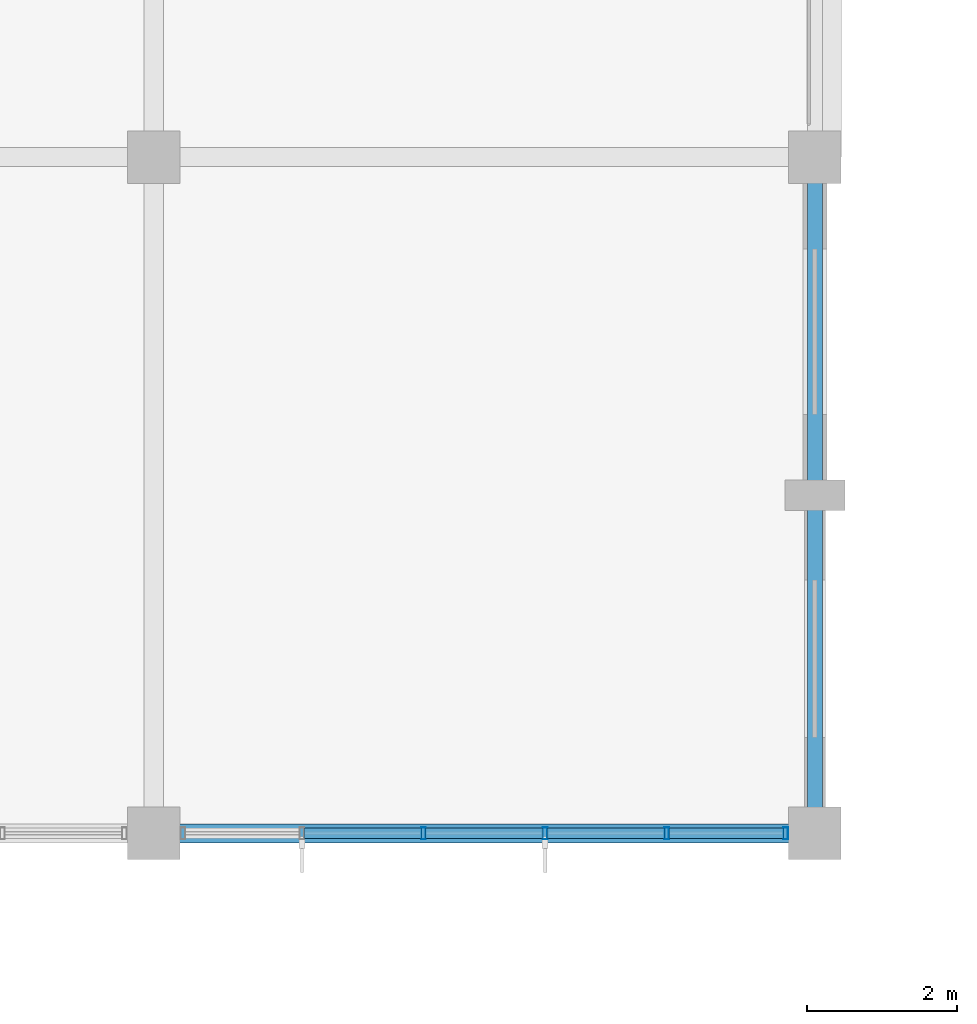
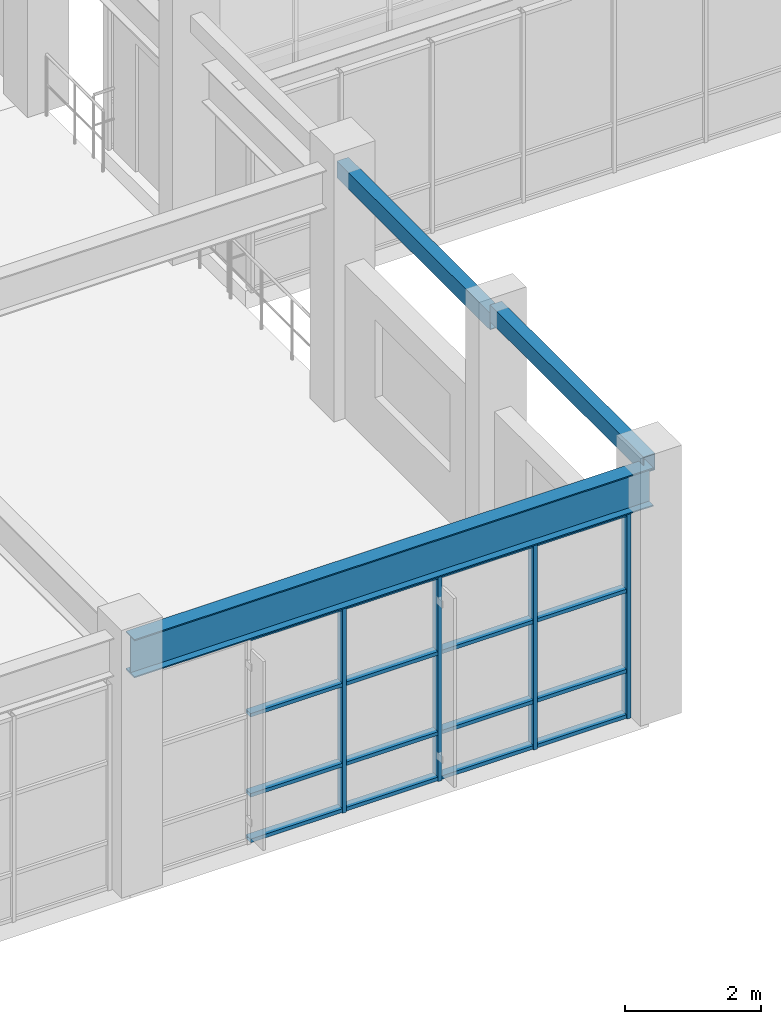
# One storey, part 17 of 99: 20 members, 3 beams, 1 element without a shape of its own.
"""IFC4 building model written with IfcOpenShell, lengths in metres."""

from ifc_helpers import new_model, si_unit, direction, frame, origin, origin_2d, place, context, subcontext, project, spatial, hollow_rectangle, i_section, extrude, material, layer, layer_set, material_profile, profile_set, type_object, element, aggregate, save


model = new_model("IFC4")

# Units and contexts
model_context = context("Model", 3, precision=1e-05, world=origin(), true_north=direction((0.0, 1.0)))
body_context = subcontext(model_context, "Body", "Model", "MODEL_VIEW")
ifc_project = project(units=[si_unit("LENGTHUNIT", "METRE"), si_unit("AREAUNIT", "SQUARE_METRE"), si_unit("VOLUMEUNIT", "CUBIC_METRE"), si_unit("PLANEANGLEUNIT", "RADIAN"), si_unit("MASSUNIT", "GRAM", prefix="KILO")], contexts=[model_context])

# Site, building, storey
site_placement = place(None, origin())
site = spatial("IfcSite", under=ifc_project, at=site_placement, CompositionType="ELEMENT")
building_placement = place(site_placement, origin())
building = spatial("IfcBuilding", under=site, at=building_placement, Name="Ventoquebrada Cableway Terminal", CompositionType="ELEMENT")
storey_placement = place(building_placement, frame((0.0, 0.0, 9.60009765625)))
storey = spatial("IfcBuildingStorey", under=building, at=storey_placement, Name="L02", CompositionType="ELEMENT", Elevation=9.60009765625)

# Beam
ifc_material_1 = material(Name="Steel ASTM A992 Grade 50", Category="steel")
ifc_material_profile_1 = material_profile(ifc_material_1, i_section(OverallWidth=0.25390625, OverallDepth=0.68798828125, WebThickness=0.01318359375, FlangeThickness=0.02099609375, at=origin_2d()), Name="W27X102")
ifc_profile_set_1 = profile_set([ifc_material_profile_1], Name="Steel ASTM A992 Grade 50")
beam_type_1 = type_object("IfcBeamType", Name="BM-ST04", PredefinedType="BEAM", material=ifc_profile_set_1)
beam_placement = place(storey_placement, frame((26.199951171875, 68.0, 4.035888671875), z_axis=(1.0, 0.0, 0.0), x_axis=(0.0, 1.0, 0.0)))
element("IfcBeam", 1, at=beam_placement, inside=storey, type_object=beam_type_1, Name="Primary frame girder FBM-0440", PredefinedType="BEAM", context=body_context, shape_type="SweptSolid", body=[
    extrude(i_section(OverallWidth=0.25390625, OverallDepth=0.68798828125, WebThickness=0.01318359375, FlangeThickness=0.02099609375, at=origin_2d()), origin(), (0.0, 0.0, 1.0), 8.800048828125),
])

# Curtain wall, members
ifc_material_2 = material(Name="Anodized thermally-broken aluminium", Category="aluminium")
ifc_layer = layer(ifc_material_2, 0.159912109375)
ifc_layer_set = layer_set([ifc_layer], Name="Anodized thermally-broken aluminium")
curtain_wall_type = type_object("IfcCurtainWallType", Name="CW-T19", PredefinedType="USERDEFINED", material=ifc_layer_set)
curtain_wall_placement = place(storey_placement, origin())
curtain_wall = element("IfcCurtainWall", 2, at=curtain_wall_placement, inside=storey, type_object=curtain_wall_type, Name="Unitised glazed curtain wall CW-042", ObjectType="UNITISED CURTAIN WALL", PredefinedType="USERDEFINED")
ifc_material_profile_2 = material_profile(ifc_material_2, hollow_rectangle(XDim=0.06494140625, YDim=0.159912109375, WallThickness=0.00390625, at=origin_2d()), Name="CW-MUL-65X160")
ifc_profile_set_2 = profile_set([ifc_material_profile_2], Name="Anodized thermally-broken aluminium")
member_type_1 = type_object("IfcMemberType", Name="CWM-01", PredefinedType="MULLION", material=ifc_profile_set_2)
member_1_placement = place(storey_placement, frame((29.791015625, 68.0, -0.008056640625), z_axis=(0.0, 0.0, 1.0), x_axis=(1.0, 0.0, 0.0)))
member_1 = element("IfcMember", 3, at=member_1_placement, type_object=member_type_1, Name="Curtain wall mullion FML-0192", PredefinedType="MULLION", context=body_context, shape_type="SweptSolid", body=[
    extrude(hollow_rectangle(XDim=0.06494140625, YDim=0.159912109375, WallThickness=0.00390625, at=origin_2d()), origin(), (0.0, 0.0, 1.0), 3.699951171875),
])
member_2_placement = place(storey_placement, frame((31.408935546875, 68.0, -0.008056640625), z_axis=(0.0, 0.0, 1.0), x_axis=(1.0, 0.0, 0.0)))
member_2 = element("IfcMember", 4, at=member_2_placement, type_object=member_type_1, Name="Curtain wall mullion FML-0193", PredefinedType="MULLION", context=body_context, shape_type="SweptSolid", body=[
    extrude(hollow_rectangle(XDim=0.06494140625, YDim=0.159912109375, WallThickness=0.00390625, at=origin_2d()), origin(), (0.0, 0.0, 1.0), 3.699951171875),
])
member_3_placement = place(storey_placement, frame((33.027099609375, 68.0, -0.008056640625), z_axis=(0.0, 0.0, 1.0), x_axis=(1.0, 0.0, 0.0)))
member_3 = element("IfcMember", 5, at=member_3_placement, type_object=member_type_1, Name="Curtain wall mullion FML-0194", PredefinedType="MULLION", context=body_context, shape_type="SweptSolid", body=[
    extrude(hollow_rectangle(XDim=0.06494140625, YDim=0.159912109375, WallThickness=0.00390625, at=origin_2d()), origin(), (0.0, 0.0, 1.0), 3.699951171875),
])
member_4_placement = place(storey_placement, frame((34.610107421875, 68.0, -0.008056640625), z_axis=(0.0, 0.0, 1.0), x_axis=(1.0, 0.0, 0.0)))
member_4 = element("IfcMember", 6, at=member_4_placement, type_object=member_type_1, Name="Curtain wall mullion FML-0195", PredefinedType="MULLION", context=body_context, shape_type="SweptSolid", body=[
    extrude(hollow_rectangle(XDim=0.06494140625, YDim=0.159912109375, WallThickness=0.00390625, at=origin_2d()), origin(), (0.0, 0.0, 1.0), 3.699951171875),
])
ifc_material_profile_3 = material_profile(ifc_material_2, hollow_rectangle(XDim=0.06494140625, YDim=0.139892578125, WallThickness=0.00390625, at=origin_2d()), Name="CW-TRN-65X140")
ifc_profile_set_3 = profile_set([ifc_material_profile_3], Name="Anodized thermally-broken aluminium")
member_type_2 = type_object("IfcMemberType", Name="CWT-01", PredefinedType="USERDEFINED", material=ifc_profile_set_3)
member_5_placement = place(storey_placement, frame((28.200927734375, 68.0, 0.034912109375), z_axis=(1.0, 0.0, 0.0), x_axis=(0.0, 0.0, 1.0)))
member_5 = element("IfcMember", 7, at=member_5_placement, type_object=member_type_2, Name="Curtain wall transom FTR-0575", ObjectType="TRANSOM", PredefinedType="USERDEFINED", context=body_context, shape_type="SweptSolid", body=[
    extrude(hollow_rectangle(XDim=0.06494140625, YDim=0.139892578125, WallThickness=0.00390625, at=origin_2d()), origin(), (0.0, 0.0, 1.0), 1.56298828125),
])
member_6_placement = place(storey_placement, frame((28.200927734375, 68.0, 0.849853515625), z_axis=(1.0, 0.0, 0.0), x_axis=(0.0, 0.0, 1.0)))
member_6 = element("IfcMember", 8, at=member_6_placement, type_object=member_type_2, Name="Curtain wall transom FTR-0576", ObjectType="TRANSOM", PredefinedType="USERDEFINED", context=body_context, shape_type="SweptSolid", body=[
    extrude(hollow_rectangle(XDim=0.06494140625, YDim=0.139892578125, WallThickness=0.00390625, at=origin_2d()), origin(), (0.0, 0.0, 1.0), 1.56298828125),
])
member_7_placement = place(storey_placement, frame((28.200927734375, 68.0, 2.285888671875), z_axis=(1.0, 0.0, 0.0), x_axis=(0.0, 0.0, 1.0)))
member_7 = element("IfcMember", 9, at=member_7_placement, type_object=member_type_2, Name="Curtain wall transom FTR-0577", ObjectType="TRANSOM", PredefinedType="USERDEFINED", context=body_context, shape_type="SweptSolid", body=[
    extrude(hollow_rectangle(XDim=0.06494140625, YDim=0.139892578125, WallThickness=0.00390625, at=origin_2d()), origin(), (0.0, 0.0, 1.0), 1.56298828125),
])
member_8_placement = place(storey_placement, frame((28.200927734375, 68.0, 3.65185546875), z_axis=(1.0, 0.0, 0.0), x_axis=(0.0, 0.0, 1.0)))
member_8 = element("IfcMember", 10, at=member_8_placement, type_object=member_type_2, Name="Curtain wall transom FTR-0578", ObjectType="TRANSOM", PredefinedType="USERDEFINED", context=body_context, shape_type="SweptSolid", body=[
    extrude(hollow_rectangle(XDim=0.06494140625, YDim=0.139892578125, WallThickness=0.00390625, at=origin_2d()), origin(), (0.0, 0.0, 1.0), 1.56298828125),
])
member_9_placement = place(storey_placement, frame((29.819091796875, 68.0, 0.034912109375), z_axis=(1.0, 0.0, 0.0), x_axis=(0.0, 0.0, 1.0)))
member_9 = element("IfcMember", 11, at=member_9_placement, type_object=member_type_2, Name="Curtain wall transom FTR-0579", ObjectType="TRANSOM", PredefinedType="USERDEFINED", context=body_context, shape_type="SweptSolid", body=[
    extrude(hollow_rectangle(XDim=0.06494140625, YDim=0.139892578125, WallThickness=0.00390625, at=origin_2d()), origin(), (0.0, 0.0, 1.0), 1.56298828125),
])
member_10_placement = place(storey_placement, frame((29.819091796875, 68.0, 0.849853515625), z_axis=(1.0, 0.0, 0.0), x_axis=(0.0, 0.0, 1.0)))
member_10 = element("IfcMember", 12, at=member_10_placement, type_object=member_type_2, Name="Curtain wall transom FTR-0580", ObjectType="TRANSOM", PredefinedType="USERDEFINED", context=body_context, shape_type="SweptSolid", body=[
    extrude(hollow_rectangle(XDim=0.06494140625, YDim=0.139892578125, WallThickness=0.00390625, at=origin_2d()), origin(), (0.0, 0.0, 1.0), 1.56298828125),
])
member_11_placement = place(storey_placement, frame((29.819091796875, 68.0, 2.285888671875), z_axis=(1.0, 0.0, 0.0), x_axis=(0.0, 0.0, 1.0)))
member_11 = element("IfcMember", 13, at=member_11_placement, type_object=member_type_2, Name="Curtain wall transom FTR-0581", ObjectType="TRANSOM", PredefinedType="USERDEFINED", context=body_context, shape_type="SweptSolid", body=[
    extrude(hollow_rectangle(XDim=0.06494140625, YDim=0.139892578125, WallThickness=0.00390625, at=origin_2d()), origin(), (0.0, 0.0, 1.0), 1.56298828125),
])
member_12_placement = place(storey_placement, frame((29.819091796875, 68.0, 3.65185546875), z_axis=(1.0, 0.0, 0.0), x_axis=(0.0, 0.0, 1.0)))
member_12 = element("IfcMember", 14, at=member_12_placement, type_object=member_type_2, Name="Curtain wall transom FTR-0582", ObjectType="TRANSOM", PredefinedType="USERDEFINED", context=body_context, shape_type="SweptSolid", body=[
    extrude(hollow_rectangle(XDim=0.06494140625, YDim=0.139892578125, WallThickness=0.00390625, at=origin_2d()), origin(), (0.0, 0.0, 1.0), 1.56298828125),
])
member_13_placement = place(storey_placement, frame((31.43701171875, 68.0, 0.034912109375), z_axis=(1.0, 0.0, 0.0), x_axis=(0.0, 0.0, 1.0)))
member_13 = element("IfcMember", 15, at=member_13_placement, type_object=member_type_2, Name="Curtain wall transom FTR-0583", ObjectType="TRANSOM", PredefinedType="USERDEFINED", context=body_context, shape_type="SweptSolid", body=[
    extrude(hollow_rectangle(XDim=0.06494140625, YDim=0.139892578125, WallThickness=0.00390625, at=origin_2d()), origin(), (0.0, 0.0, 1.0), 1.56298828125),
])
member_14_placement = place(storey_placement, frame((31.43701171875, 68.0, 0.849853515625), z_axis=(1.0, 0.0, 0.0), x_axis=(0.0, 0.0, 1.0)))
member_14 = element("IfcMember", 16, at=member_14_placement, type_object=member_type_2, Name="Curtain wall transom FTR-0584", ObjectType="TRANSOM", PredefinedType="USERDEFINED", context=body_context, shape_type="SweptSolid", body=[
    extrude(hollow_rectangle(XDim=0.06494140625, YDim=0.139892578125, WallThickness=0.00390625, at=origin_2d()), origin(), (0.0, 0.0, 1.0), 1.56298828125),
])
member_15_placement = place(storey_placement, frame((31.43701171875, 68.0, 2.285888671875), z_axis=(1.0, 0.0, 0.0), x_axis=(0.0, 0.0, 1.0)))
member_15 = element("IfcMember", 17, at=member_15_placement, type_object=member_type_2, Name="Curtain wall transom FTR-0585", ObjectType="TRANSOM", PredefinedType="USERDEFINED", context=body_context, shape_type="SweptSolid", body=[
    extrude(hollow_rectangle(XDim=0.06494140625, YDim=0.139892578125, WallThickness=0.00390625, at=origin_2d()), origin(), (0.0, 0.0, 1.0), 1.56298828125),
])
member_16_placement = place(storey_placement, frame((31.43701171875, 68.0, 3.65185546875), z_axis=(1.0, 0.0, 0.0), x_axis=(0.0, 0.0, 1.0)))
member_16 = element("IfcMember", 18, at=member_16_placement, type_object=member_type_2, Name="Curtain wall transom FTR-0586", ObjectType="TRANSOM", PredefinedType="USERDEFINED", context=body_context, shape_type="SweptSolid", body=[
    extrude(hollow_rectangle(XDim=0.06494140625, YDim=0.139892578125, WallThickness=0.00390625, at=origin_2d()), origin(), (0.0, 0.0, 1.0), 1.56298828125),
])
member_17_placement = place(storey_placement, frame((33.054931640625, 68.0, 0.034912109375), z_axis=(1.0, 0.0, 0.0), x_axis=(0.0, 0.0, 1.0)))
member_17 = element("IfcMember", 19, at=member_17_placement, type_object=member_type_2, Name="Curtain wall transom FTR-0587", ObjectType="TRANSOM", PredefinedType="USERDEFINED", context=body_context, shape_type="SweptSolid", body=[
    extrude(hollow_rectangle(XDim=0.06494140625, YDim=0.139892578125, WallThickness=0.00390625, at=origin_2d()), origin(), (0.0, 0.0, 1.0), 1.528076171875),
])
member_18_placement = place(storey_placement, frame((33.054931640625, 68.0, 0.849853515625), z_axis=(1.0, 0.0, 0.0), x_axis=(0.0, 0.0, 1.0)))
member_18 = element("IfcMember", 20, at=member_18_placement, type_object=member_type_2, Name="Curtain wall transom FTR-0588", ObjectType="TRANSOM", PredefinedType="USERDEFINED", context=body_context, shape_type="SweptSolid", body=[
    extrude(hollow_rectangle(XDim=0.06494140625, YDim=0.139892578125, WallThickness=0.00390625, at=origin_2d()), origin(), (0.0, 0.0, 1.0), 1.528076171875),
])
member_19_placement = place(storey_placement, frame((33.054931640625, 68.0, 2.285888671875), z_axis=(1.0, 0.0, 0.0), x_axis=(0.0, 0.0, 1.0)))
member_19 = element("IfcMember", 21, at=member_19_placement, type_object=member_type_2, Name="Curtain wall transom FTR-0589", ObjectType="TRANSOM", PredefinedType="USERDEFINED", context=body_context, shape_type="SweptSolid", body=[
    extrude(hollow_rectangle(XDim=0.06494140625, YDim=0.139892578125, WallThickness=0.00390625, at=origin_2d()), origin(), (0.0, 0.0, 1.0), 1.528076171875),
])
member_20_placement = place(storey_placement, frame((33.054931640625, 68.0, 3.65185546875), z_axis=(1.0, 0.0, 0.0), x_axis=(0.0, 0.0, 1.0)))
member_20 = element("IfcMember", 22, at=member_20_placement, type_object=member_type_2, Name="Curtain wall transom FTR-0590", ObjectType="TRANSOM", PredefinedType="USERDEFINED", context=body_context, shape_type="SweptSolid", body=[
    extrude(hollow_rectangle(XDim=0.06494140625, YDim=0.139892578125, WallThickness=0.00390625, at=origin_2d()), origin(), (0.0, 0.0, 1.0), 1.528076171875),
])
aggregate(curtain_wall, [member_1, member_2, member_3, member_4, member_5, member_6, member_7, member_8, member_9, member_10, member_11, member_12, member_13, member_14, member_15, member_16, member_17, member_18, member_19, member_20])

# Beams
ifc_material_3 = material(Name="Steel ASTM A500 Grade C", Category="steel")
ifc_material_profile_4 = material_profile(ifc_material_3, hollow_rectangle(XDim=0.199951171875, YDim=0.300048828125, WallThickness=0.012451171875, at=origin_2d()), Name="RHS300X200X12.5")
ifc_profile_set_4 = profile_set([ifc_material_profile_4], Name="Steel ASTM A500 Grade C")
beam_type_2 = type_object("IfcBeamType", Name="SP-ST02", PredefinedType="SPANDREL", material=ifc_profile_set_4)
for number, where, z_axis, x_axis, name in (
    (23, (35.0, 68.0, 4.3798828125), (0.0, 1.0, 0.0), (-1.0, 0.0, 0.0), "Perimeter spandrel beam FBM-0479"),
    (24, (35.0, 72.5, 4.22998046875), (0.0, 1.0, 0.0), (-1.0, 0.0, 0.0), "Perimeter spandrel beam FBM-0480"),
):
    element("IfcBeam", number, at=place(storey_placement, frame(where, z_axis=z_axis, x_axis=x_axis)), inside=storey, type_object=beam_type_2, Name=name, PredefinedType="SPANDREL", context=body_context, shape_type="SweptSolid", body=[
        extrude(hollow_rectangle(XDim=0.199951171875, YDim=0.300048828125, WallThickness=0.012451171875, at=origin_2d()), origin(), (0.0, 0.0, 1.0), 4.5),
    ])

save(model, "model.ifc")
